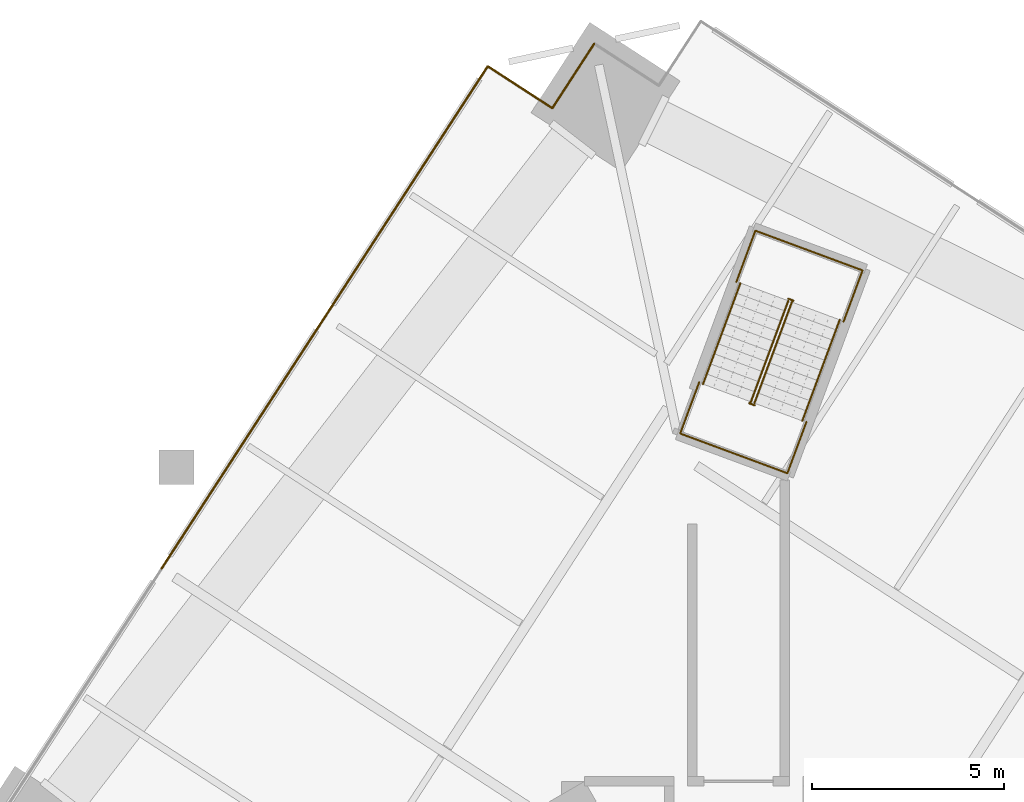
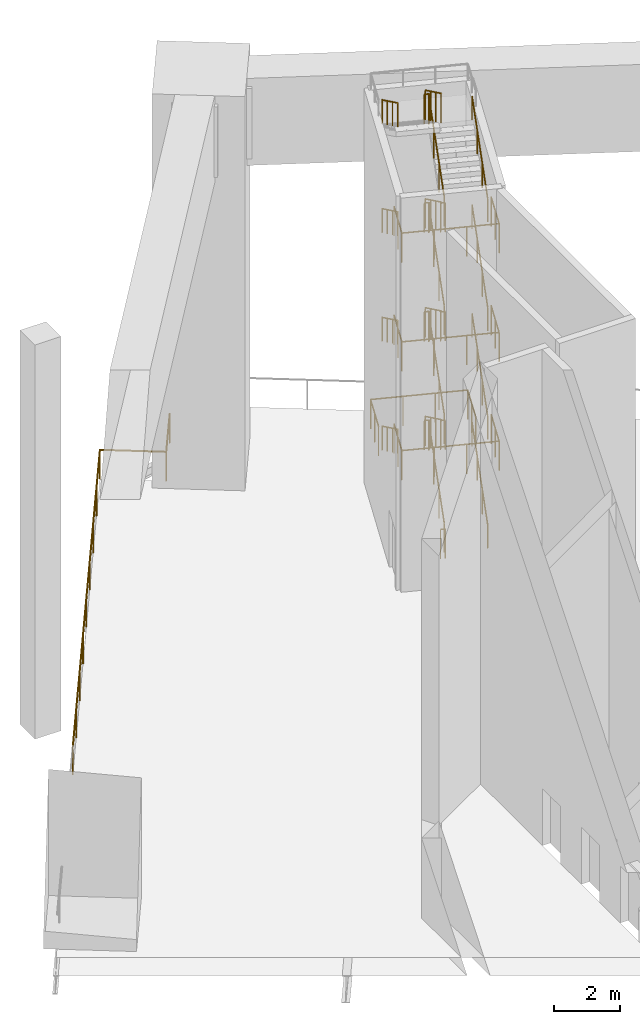
# One storey, part 14 of 16: 24 railings.
"""IFC4 building model written with IfcOpenShell, lengths in metres."""

import ifcopenshell
import ifcopenshell.guid

model = None  # the IFC model being written
_history = None  # IfcOwnerHistory: only IFC2X3 demands one
_inside = {}  # id of a spatial element -> (the spatial element, [elements in it])
_under = {}  # id of a project, library or spatial element -> (it, [spatial elements below it])
_declared = {}  # id of a project -> (the project, [libraries it declares])
_typed = {}  # id of a type object -> (the type object, [elements of that type])
_made_of = {}  # id of a material, layer set ... -> (it, [elements and type objects made of it])


def new_model(schema):
    """Start an empty IFC model of exactly this schema.

    Asked for "IFC4X3", IfcOpenShell would pick the latest addendum, in which some entities
    have other attributes; the version numbers below select the first issue.
    IFC2X3 requires an IfcOwnerHistory on every rooted entity: one is made here for all.
    """
    global model, _history
    if schema == "IFC4X3":
        model = ifcopenshell.file(schema_version=(4, 3, 0, 0))
    else:
        model = ifcopenshell.file(schema=schema)
    _inside.clear()
    _under.clear()
    _declared.clear()
    _typed.clear()
    _made_of.clear()
    _history = None
    if model.schema == "IFC2X3":
        org = make("IfcOrganization", Name="unknown")
        user = make(
            "IfcPersonAndOrganization",
            ThePerson=make("IfcPerson", FamilyName="unknown"),
            TheOrganization=org,
        )
        app = make(
            "IfcApplication",
            ApplicationDeveloper=org,
            Version="unknown",
            ApplicationFullName="unknown",
            ApplicationIdentifier="unknown",
        )
        _history = make(
            "IfcOwnerHistory",
            OwningUser=user,
            OwningApplication=app,
            ChangeAction="ADDED",
            CreationDate=0,
        )
    return model


def make(cls, **values):
    """One entity of the class cls with the attributes given. An attribute that is None is left unset."""
    return model.create_entity(
        cls, **{name: value for name, value in values.items() if value is not None}
    )


def rooted(cls, **values):
    """An entity with a GlobalId (a new one), such as an element, a storey or a relation."""
    return make(cls, GlobalId=ifcopenshell.guid.new(), OwnerHistory=_history, **values)


def si_unit(unit_type, name, prefix=None):
    """IfcSIUnit, for example si_unit("LENGTHUNIT", "METRE", prefix="MILLI")."""
    return make("IfcSIUnit", UnitType=unit_type, Prefix=prefix, Name=name)


def assignment(units):
    """IfcUnitAssignment: the units of a project."""
    return None if units is None else make("IfcUnitAssignment", Units=units)


def point(xyz):
    """IfcCartesianPoint."""
    return None if xyz is None else make("IfcCartesianPoint", Coordinates=xyz)


def direction(xyz):
    """IfcDirection."""
    return None if xyz is None else make("IfcDirection", DirectionRatios=xyz)


def frame(location, z_axis=None, x_axis=None):
    """IfcAxis2Placement3D, a coordinate frame: its origin and axes. An axis left out is left unset."""
    return make(
        "IfcAxis2Placement3D",
        Location=point(location),
        Axis=direction(z_axis),
        RefDirection=direction(x_axis),
    )


def frame_2d(location, x_axis=None):
    """IfcAxis2Placement2D, a coordinate frame in the plane: its origin and x axis."""
    return make(
        "IfcAxis2Placement2D", Location=point(location), RefDirection=direction(x_axis)
    )


def origin():
    """The frame at (0, 0, 0) with its axes left unset."""
    return frame((0.0, 0.0, 0.0))


def origin_2d():
    """The frame at (0, 0) in the plane with its x axis left unset."""
    return frame_2d((0.0, 0.0))


def place(relative_to, where):
    """IfcLocalPlacement: puts the frame where relative to a parent placement (None: the world)."""
    return make(
        "IfcLocalPlacement", PlacementRelTo=relative_to, RelativePlacement=where
    )


def context(
    kind, dimensions, precision=None, world=None, true_north=None, identifier=None
):
    """IfcGeometricRepresentationContext, for example the 3D "Model" context."""
    return make(
        "IfcGeometricRepresentationContext",
        ContextIdentifier=identifier,
        ContextType=kind,
        CoordinateSpaceDimension=dimensions,
        Precision=precision,
        WorldCoordinateSystem=world,
        TrueNorth=true_north,
    )


def subcontext(parent, identifier, kind, view, scale=None):
    """IfcGeometricRepresentationSubContext, for example "Body" below "Model"."""
    return make(
        "IfcGeometricRepresentationSubContext",
        ContextIdentifier=identifier,
        ContextType=kind,
        ParentContext=parent,
        TargetScale=scale,
        TargetView=view,
    )


def project(units=None, contexts=None):
    """IfcProject with its units and contexts."""
    return rooted(
        "IfcProject",
        Name="project",
        RepresentationContexts=contexts,
        UnitsInContext=assignment(units),
    )


def spatial(cls, under=None, at=None, **own):
    """A site, building, storey or space (cls), placed at a placement, below another one or the project."""
    s = rooted(cls, ObjectPlacement=at, **own)
    if under is not None:
        _under.setdefault(under.id(), (under, []))[1].append(s)
    return s


def profile(cls, at=None, kind="AREA", **sizes):
    """A parametric profile (cls). Its sizes go by their IFC names, for example OverallWidth=200.0."""
    return make(cls, ProfileType=kind, Position=at, **sizes)


def circle(**sizes):
    """IfcCircleProfileDef."""
    return profile("IfcCircleProfileDef", **sizes)


def extrude(swept, where, along, depth):
    """IfcExtrudedAreaSolid: the profile swept, set in the frame where, extruded along a direction by depth."""
    return make(
        "IfcExtrudedAreaSolid",
        SweptArea=swept,
        Position=where,
        ExtrudedDirection=direction(along),
        Depth=depth,
    )


def shape(context_of_items, identifier, shape_type, items):
    """IfcShapeRepresentation: the items that make up one representation, for example the "Body"."""
    return make(
        "IfcShapeRepresentation",
        ContextOfItems=context_of_items,
        RepresentationIdentifier=identifier,
        RepresentationType=shape_type,
        Items=items,
    )


def material(Name=None, Category=None):
    """IfcMaterial."""
    return make("IfcMaterial", Name=Name, Category=Category)


def made_of(thing, what):
    """Note that an element or type object is made of a material, layer set ...; save() writes the relation."""
    if what is not None:
        _made_of.setdefault(what.id(), (what, []))[1].append(thing)
    return thing


def type_object(cls, material=None, **own):
    """A type object (cls), such as IfcWallType, which elements share."""
    return made_of(rooted(cls, **own), material)


def element(
    cls,
    number,
    at=None,
    inside=None,
    cuts=None,
    type_object=None,
    material=None,
    context=None,
    identifier="Body",
    shape_type=None,
    held_by="IfcProductDefinitionShape",
    body=None,
    shapes=None,
    **own,
):
    """One element of the class cls, such as IfcWall. Its Tag is "e" and its number.

    at: its placement. inside: the storey or other place that contains it. cuts: it is an
    opening in that element (IfcRelVoidsElement). A single representation is given by context,
    identifier, shape_type and body (its items); several are given by shapes. held_by: the class
    of the entity that holds the representations. save() writes the other relations.
    """
    e = rooted(cls, Tag="e%d" % number, ObjectPlacement=at, **own)
    if body is not None:
        shapes = [shape(context, identifier, shape_type, body)]
    if shapes is not None:
        e.Representation = make(held_by, Representations=shapes)
    if inside is not None:
        _inside.setdefault(inside.id(), (inside, []))[1].append(e)
    if cuts is not None:
        rooted(
            "IfcRelVoidsElement", RelatingBuildingElement=cuts, RelatedOpeningElement=e
        )
    if type_object is not None:
        _typed.setdefault(type_object.id(), (type_object, []))[1].append(e)
    return made_of(e, material)


def aggregate(whole, parts):
    """IfcRelAggregates: a whole, such as a stair, and the parts it consists of."""
    return rooted("IfcRelAggregates", RelatingObject=whole, RelatedObjects=parts)


def save(model, path):
    """Write the relations noted so far, then the file.

    IfcRelAggregates (storeys below a building ...), IfcRelContainedInSpatialStructure (elements
    in a storey), IfcRelDefinesByType, IfcRelAssociatesMaterial and IfcRelDeclares: one each for
    every whole, place, type object, material and project.
    """
    for whole, parts in _under.values():
        aggregate(whole, parts)
    for where, things in _inside.values():
        rooted(
            "IfcRelContainedInSpatialStructure",
            RelatedElements=things,
            RelatingStructure=where,
        )
    for kind, things in _typed.values():
        rooted("IfcRelDefinesByType", RelatedObjects=things, RelatingType=kind)
    for what, things in _made_of.values():
        rooted("IfcRelAssociatesMaterial", RelatedObjects=things, RelatingMaterial=what)
    for by, libraries in _declared.values():
        rooted("IfcRelDeclares", RelatingContext=by, RelatedDefinitions=libraries)
    model.write(path)


model = new_model("IFC4")

# Units and contexts
model_context = context("Model", 3, precision=1e-05, world=origin(), true_north=direction((0.0, 1.0)))
body_context = subcontext(model_context, "Body", "Model", "MODEL_VIEW")
ifc_project = project(units=[si_unit("LENGTHUNIT", "METRE"), si_unit("AREAUNIT", "SQUARE_METRE"), si_unit("VOLUMEUNIT", "CUBIC_METRE"), si_unit("PLANEANGLEUNIT", "RADIAN"), si_unit("MASSUNIT", "GRAM", prefix="KILO")], contexts=[model_context])

# Site, building, storey
site_placement = place(None, origin())
site = spatial("IfcSite", under=ifc_project, at=site_placement, CompositionType="ELEMENT")
building_placement = place(site_placement, origin())
building = spatial("IfcBuilding", under=site, at=building_placement, Name="Cantera Rosa Tower", CompositionType="ELEMENT")
storey_placement = place(building_placement, frame((0.0, 0.0, 290.10009765625)))
storey = spatial("IfcBuildingStorey", under=building, at=storey_placement, Name="L66", CompositionType="ELEMENT", Elevation=290.10009765625)

# Railings
ifc_material_1 = material(Name="Stainless steel and laminated glass", Category="steel")
railing_type_1 = type_object("IfcRailingType", Name="GUARD 1100", PredefinedType="BALUSTRADE", material=ifc_material_1)
railing_1_placement = place(storey_placement, frame((-3.7490234375, 28.0107421875, 0.0)))
element("IfcRailing", 1, at=railing_1_placement, inside=storey, type_object=railing_type_1, Name="PORTAL GUARD L66-4", PredefinedType="BALUSTRADE", context=body_context, shape_type="SweptSolid", body=[
    extrude(circle(Radius=0.030029296875, at=origin_2d()), frame((0.0, 0.0, 1.070068359375), z_axis=(-0.54468796124, -0.838638792855, 0.0), x_axis=(0.838638792855, -0.54468796124, 0.0)), (0.0, 0.0, 1.0), 2.0),
    extrude(circle(Radius=0.02490234375, at=origin_2d()), origin(), (0.0, 0.0, 1.0), 1.0400390625),
    extrude(circle(Radius=0.02490234375, at=origin_2d()), frame((-1.08935546875, -1.67724609375, 0.0)), (0.0, 0.0, 1.0), 1.0400390625),
])
railing_2_placement = place(storey_placement, frame((-4.83837890625, 26.33349609375, 0.0)))
element("IfcRailing", 2, at=railing_2_placement, inside=storey, type_object=railing_type_1, Name="PORTAL GUARD L66-5", PredefinedType="BALUSTRADE", context=body_context, shape_type="SweptSolid", body=[
    extrude(circle(Radius=0.030029296875, at=origin_2d()), frame((0.0, 0.0, 1.070068359375), z_axis=(-0.838638792855, 0.54468796124, 0.0), x_axis=(-0.54468796124, -0.838638792855, 0.0)), (0.0, 0.0, 1.0), 2.0),
    extrude(circle(Radius=0.02490234375, at=origin_2d()), origin(), (0.0, 0.0, 1.0), 1.0400390625),
    extrude(circle(Radius=0.02490234375, at=origin_2d()), frame((-1.67724609375, 1.08935546875, 0.0)), (0.0, 0.0, 1.0), 1.0400390625),
])
railing_3_placement = place(storey_placement, frame((-6.515625, 27.4228515625, 0.0)))
element("IfcRailing", 3, at=railing_3_placement, inside=storey, type_object=railing_type_1, Name="PORTAL GUARD L66-6", PredefinedType="BALUSTRADE", context=body_context, shape_type="SweptSolid", body=[
    extrude(circle(Radius=0.030029296875, at=origin_2d()), frame((0.0, 0.0, 1.070068359375), z_axis=(-0.544637548782, -0.838671533115, 0.0), x_axis=(0.838671533115, -0.544637548782, 0.0)), (0.0, 0.0, 1.0), 15.56005859375),
    extrude(circle(Radius=0.02490234375, at=origin_2d()), origin(), (0.0, 0.0, 1.0), 1.0400390625),
    extrude(circle(Radius=0.02490234375, at=origin_2d()), frame((-1.059326171875, -1.63134765625, 0.0)), (0.0, 0.0, 1.0), 1.0400390625),
    extrude(circle(Radius=0.02490234375, at=origin_2d()), frame((-2.11865234375, -3.262451171875, 0.0)), (0.0, 0.0, 1.0), 1.0400390625),
    extrude(circle(Radius=0.02490234375, at=origin_2d()), frame((-3.177978515625, -4.8935546875, 0.0)), (0.0, 0.0, 1.0), 1.0400390625),
    extrude(circle(Radius=0.02490234375, at=origin_2d()), frame((-4.2373046875, -6.52490234375, 0.0)), (0.0, 0.0, 1.0), 1.0400390625),
    extrude(circle(Radius=0.02490234375, at=origin_2d()), frame((-5.296630859375, -8.15625, 0.0)), (0.0, 0.0, 1.0), 1.0400390625),
    extrude(circle(Radius=0.02490234375, at=origin_2d()), frame((-6.35595703125, -9.787353515625, 0.0)), (0.0, 0.0, 1.0), 1.0400390625),
    extrude(circle(Radius=0.02490234375, at=origin_2d()), frame((-7.415283203125, -11.41845703125, 0.0)), (0.0, 0.0, 1.0), 1.0400390625),
    extrude(circle(Radius=0.02490234375, at=origin_2d()), frame((-8.474609375, -13.0498046875, 0.0)), (0.0, 0.0, 1.0), 1.0400390625),
])
ifc_material_2 = material(Name="Steel S355J2 (EN 10025-2)", Category="steel")
railing_type_2 = type_object("IfcRailingType", Name="STAIR GUARD 1100", PredefinedType="GUARDRAIL", material=ifc_material_2)
railing_4_placement = place(storey_placement, frame((0.412109375, 18.670166015625, 0.181640625)))
element("IfcRailing", 4, at=railing_4_placement, inside=storey, type_object=railing_type_2, Name="L66 ST-62 stair guard 1", PredefinedType="GUARDRAIL", context=body_context, shape_type="SweptSolid", body=[
    extrude(circle(Radius=0.02392578125, at=origin_2d()), frame((0.0, 0.0, 1.076171875), z_axis=(0.291477849966, 0.786390566617, 0.5446379896), x_axis=(-0.937662486433, 0.347547207636, 0.0)), (0.0, 0.0, 1.0), 3.338623046875),
    extrude(circle(Radius=0.02392578125, at=origin_2d()), frame((0.97314453125, 2.62548828125, 2.89453125), z_axis=(0.740919573429, 0.671593765389, 0.0), x_axis=(-0.671593765389, 0.740919573429, 0.0)), (0.0, 0.0, 1.0), 0.056396484375),
    extrude(circle(Radius=0.02392578125, at=origin_2d()), frame((1.014892578125, 2.663330078125, 2.89453125), z_axis=(-0.937394914814, 0.348268249601, 0.0), x_axis=(-0.348268249601, -0.937394914814, 0.0)), (0.0, 0.0, 1.0), 0.14990234375),
    extrude(circle(Radius=0.02099609375, at=origin_2d()), origin(), (0.0, 0.0, 1.0), 1.052001953125),
    extrude(circle(Radius=0.02099609375, at=origin_2d()), frame((0.324462890625, 0.875244140625, 0.606201171875)), (0.0, 0.0, 1.0), 1.052001953125),
    extrude(circle(Radius=0.02099609375, at=origin_2d()), frame((0.648681640625, 1.750244140625, 1.212158203125)), (0.0, 0.0, 1.0), 1.052001953125),
    extrude(circle(Radius=0.02099609375, at=origin_2d()), frame((0.97314453125, 2.62548828125, 1.818359375)), (0.0, 0.0, 1.0), 1.052001953125),
    extrude(circle(Radius=0.02099609375, at=origin_2d()), frame((1.014892578125, 2.663330078125, 1.818359375)), (0.0, 0.0, 1.0), 1.052001953125),
    extrude(circle(Radius=0.02099609375, at=origin_2d()), frame((0.874267578125, 2.715576171875, 1.818359375)), (0.0, 0.0, 1.0), 1.052001953125),
])
railing_5_placement = place(storey_placement, frame((1.293212890625, 21.329833984375, 2.181640625)))
element("IfcRailing", 5, at=railing_5_placement, inside=storey, type_object=railing_type_2, Name="L66 ST-62 stair guard 2", PredefinedType="GUARDRAIL", context=body_context, shape_type="SweptSolid", body=[
    extrude(circle(Radius=0.02392578125, at=origin_2d()), frame((0.0, 0.0, 1.076171875), z_axis=(-0.291394177441, -0.786435226693, 0.544618276933), x_axis=(0.937701424672, -0.347442136431, 0.0)), (0.0, 0.0, 1.0), 3.3388671875),
    extrude(circle(Radius=0.02392578125, at=origin_2d()), frame((-0.972900390625, -2.625732421875, 2.89453125), z_axis=(-0.740919573429, -0.671593765389, 0.0), x_axis=(0.671593765389, -0.740919573429, 0.0)), (0.0, 0.0, 1.0), 0.056396484375),
    extrude(circle(Radius=0.02392578125, at=origin_2d()), frame((-1.0146484375, -2.66357421875, 2.89453125), z_axis=(0.937925419525, -0.346837004095, 0.0), x_axis=(0.346837004095, 0.937925419525, 0.0)), (0.0, 0.0, 1.0), 0.14990234375),
    extrude(circle(Radius=0.02099609375, at=origin_2d()), origin(), (0.0, 0.0, 1.0), 1.052001953125),
    extrude(circle(Radius=0.02099609375, at=origin_2d()), frame((-0.32421875, -0.875244140625, 0.606201171875)), (0.0, 0.0, 1.0), 1.052001953125),
    extrude(circle(Radius=0.02099609375, at=origin_2d()), frame((-0.648681640625, -1.75048828125, 1.212158203125)), (0.0, 0.0, 1.0), 1.052001953125),
    extrude(circle(Radius=0.02099609375, at=origin_2d()), frame((-0.972900390625, -2.625732421875, 1.818359375)), (0.0, 0.0, 1.0), 1.052001953125),
    extrude(circle(Radius=0.02099609375, at=origin_2d()), frame((-1.0146484375, -2.66357421875, 1.818359375)), (0.0, 0.0, 1.0), 1.052001953125),
    extrude(circle(Radius=0.02099609375, at=origin_2d()), frame((-0.8740234375, -2.715576171875, 1.818359375)), (0.0, 0.0, 1.0), 1.052001953125),
])
railing_6_placement = place(storey_placement, frame((0.412109375, 18.670166015625, 4.181640625)))
element("IfcRailing", 6, at=railing_6_placement, inside=storey, type_object=railing_type_2, Name="L66 ST-62 stair guard 3", PredefinedType="GUARDRAIL", context=body_context, shape_type="SweptSolid", body=[
    extrude(circle(Radius=0.02392578125, at=origin_2d()), frame((0.0, 0.0, 1.076171875), z_axis=(0.291477849966, 0.786390566617, 0.5446379896), x_axis=(-0.937662486433, 0.347547207636, 0.0)), (0.0, 0.0, 1.0), 3.338623046875),
    extrude(circle(Radius=0.02392578125, at=origin_2d()), frame((0.97314453125, 2.62548828125, 2.89453125), z_axis=(0.740919573429, 0.671593765389, 0.0), x_axis=(-0.671593765389, 0.740919573429, 0.0)), (0.0, 0.0, 1.0), 0.056396484375),
    extrude(circle(Radius=0.02392578125, at=origin_2d()), frame((1.014892578125, 2.663330078125, 2.89453125), z_axis=(-0.937394914814, 0.348268249601, 0.0), x_axis=(-0.348268249601, -0.937394914814, 0.0)), (0.0, 0.0, 1.0), 0.14990234375),
    extrude(circle(Radius=0.02099609375, at=origin_2d()), origin(), (0.0, 0.0, 1.0), 1.052001953125),
    extrude(circle(Radius=0.02099609375, at=origin_2d()), frame((0.324462890625, 0.875244140625, 0.606201171875)), (0.0, 0.0, 1.0), 1.052001953125),
    extrude(circle(Radius=0.02099609375, at=origin_2d()), frame((0.648681640625, 1.750244140625, 1.212158203125)), (0.0, 0.0, 1.0), 1.052001953125),
    extrude(circle(Radius=0.02099609375, at=origin_2d()), frame((0.97314453125, 2.62548828125, 1.818359375)), (0.0, 0.0, 1.0), 1.052001953125),
    extrude(circle(Radius=0.02099609375, at=origin_2d()), frame((1.014892578125, 2.663330078125, 1.818359375)), (0.0, 0.0, 1.0), 1.052001953125),
    extrude(circle(Radius=0.02099609375, at=origin_2d()), frame((0.874267578125, 2.715576171875, 1.818359375)), (0.0, 0.0, 1.0), 1.052001953125),
])
railing_7_placement = place(storey_placement, frame((1.293212890625, 21.329833984375, 6.181640625)))
element("IfcRailing", 7, at=railing_7_placement, inside=storey, type_object=railing_type_2, Name="L66 ST-62 stair guard 4", PredefinedType="GUARDRAIL", context=body_context, shape_type="SweptSolid", body=[
    extrude(circle(Radius=0.02392578125, at=origin_2d()), frame((0.0, 0.0, 1.076171875), z_axis=(-0.291394177441, -0.786435226693, 0.544618276933), x_axis=(0.937701424672, -0.347442136431, 0.0)), (0.0, 0.0, 1.0), 3.3388671875),
    extrude(circle(Radius=0.02392578125, at=origin_2d()), frame((-0.972900390625, -2.625732421875, 2.89453125), z_axis=(-0.740919573429, -0.671593765389, 0.0), x_axis=(0.671593765389, -0.740919573429, 0.0)), (0.0, 0.0, 1.0), 0.056396484375),
    extrude(circle(Radius=0.02392578125, at=origin_2d()), frame((-1.0146484375, -2.66357421875, 2.89453125), z_axis=(0.937925419525, -0.346837004095, 0.0), x_axis=(0.346837004095, 0.937925419525, 0.0)), (0.0, 0.0, 1.0), 0.14990234375),
    extrude(circle(Radius=0.02099609375, at=origin_2d()), origin(), (0.0, 0.0, 1.0), 1.052001953125),
    extrude(circle(Radius=0.02099609375, at=origin_2d()), frame((-0.32421875, -0.875244140625, 0.606201171875)), (0.0, 0.0, 1.0), 1.052001953125),
    extrude(circle(Radius=0.02099609375, at=origin_2d()), frame((-0.648681640625, -1.75048828125, 1.212158203125)), (0.0, 0.0, 1.0), 1.052001953125),
    extrude(circle(Radius=0.02099609375, at=origin_2d()), frame((-0.972900390625, -2.625732421875, 1.818359375)), (0.0, 0.0, 1.0), 1.052001953125),
    extrude(circle(Radius=0.02099609375, at=origin_2d()), frame((-1.0146484375, -2.66357421875, 1.818359375)), (0.0, 0.0, 1.0), 1.052001953125),
    extrude(circle(Radius=0.02099609375, at=origin_2d()), frame((-0.8740234375, -2.715576171875, 1.818359375)), (0.0, 0.0, 1.0), 1.052001953125),
])
railing_8_placement = place(storey_placement, frame((0.412109375, 18.670166015625, 8.181640625)))
element("IfcRailing", 8, at=railing_8_placement, inside=storey, type_object=railing_type_2, Name="L66 ST-62 stair guard 5", PredefinedType="GUARDRAIL", context=body_context, shape_type="SweptSolid", body=[
    extrude(circle(Radius=0.02392578125, at=origin_2d()), frame((0.0, 0.0, 1.076171875), z_axis=(0.291477849966, 0.786390566617, 0.5446379896), x_axis=(-0.937662486433, 0.347547207636, 0.0)), (0.0, 0.0, 1.0), 3.338623046875),
    extrude(circle(Radius=0.02392578125, at=origin_2d()), frame((0.97314453125, 2.62548828125, 2.89453125), z_axis=(0.740919573429, 0.671593765389, 0.0), x_axis=(-0.671593765389, 0.740919573429, 0.0)), (0.0, 0.0, 1.0), 0.056396484375),
    extrude(circle(Radius=0.02392578125, at=origin_2d()), frame((1.014892578125, 2.663330078125, 2.89453125), z_axis=(-0.937394914814, 0.348268249601, 0.0), x_axis=(-0.348268249601, -0.937394914814, 0.0)), (0.0, 0.0, 1.0), 0.14990234375),
    extrude(circle(Radius=0.02099609375, at=origin_2d()), origin(), (0.0, 0.0, 1.0), 1.052001953125),
    extrude(circle(Radius=0.02099609375, at=origin_2d()), frame((0.324462890625, 0.875244140625, 0.606201171875)), (0.0, 0.0, 1.0), 1.052001953125),
    extrude(circle(Radius=0.02099609375, at=origin_2d()), frame((0.648681640625, 1.750244140625, 1.212158203125)), (0.0, 0.0, 1.0), 1.052001953125),
    extrude(circle(Radius=0.02099609375, at=origin_2d()), frame((0.97314453125, 2.62548828125, 1.818359375)), (0.0, 0.0, 1.0), 1.052001953125),
    extrude(circle(Radius=0.02099609375, at=origin_2d()), frame((1.014892578125, 2.663330078125, 1.818359375)), (0.0, 0.0, 1.0), 1.052001953125),
    extrude(circle(Radius=0.02099609375, at=origin_2d()), frame((0.874267578125, 2.715576171875, 1.818359375)), (0.0, 0.0, 1.0), 1.052001953125),
])
railing_9_placement = place(storey_placement, frame((1.293212890625, 21.329833984375, 10.181640625)))
element("IfcRailing", 9, at=railing_9_placement, inside=storey, type_object=railing_type_2, Name="L66 ST-62 stair guard 6", PredefinedType="GUARDRAIL", context=body_context, shape_type="SweptSolid", body=[
    extrude(circle(Radius=0.02392578125, at=origin_2d()), frame((0.0, 0.0, 1.076171875), z_axis=(-0.291394177441, -0.786435226693, 0.544618276933), x_axis=(0.937701424672, -0.347442136431, 0.0)), (0.0, 0.0, 1.0), 3.3388671875),
    extrude(circle(Radius=0.02392578125, at=origin_2d()), frame((-0.972900390625, -2.625732421875, 2.89453125), z_axis=(-0.740919573429, -0.671593765389, 0.0), x_axis=(0.671593765389, -0.740919573429, 0.0)), (0.0, 0.0, 1.0), 0.056396484375),
    extrude(circle(Radius=0.02392578125, at=origin_2d()), frame((-1.0146484375, -2.66357421875, 2.89453125), z_axis=(0.937925419525, -0.346837004095, 0.0), x_axis=(0.346837004095, 0.937925419525, 0.0)), (0.0, 0.0, 1.0), 0.14990234375),
    extrude(circle(Radius=0.02099609375, at=origin_2d()), origin(), (0.0, 0.0, 1.0), 1.052001953125),
    extrude(circle(Radius=0.02099609375, at=origin_2d()), frame((-0.32421875, -0.875244140625, 0.606201171875)), (0.0, 0.0, 1.0), 1.052001953125),
    extrude(circle(Radius=0.02099609375, at=origin_2d()), frame((-0.648681640625, -1.75048828125, 1.212158203125)), (0.0, 0.0, 1.0), 1.052001953125),
    extrude(circle(Radius=0.02099609375, at=origin_2d()), frame((-0.972900390625, -2.625732421875, 1.818359375)), (0.0, 0.0, 1.0), 1.052001953125),
    extrude(circle(Radius=0.02099609375, at=origin_2d()), frame((-1.0146484375, -2.66357421875, 1.818359375)), (0.0, 0.0, 1.0), 1.052001953125),
    extrude(circle(Radius=0.02099609375, at=origin_2d()), frame((-0.8740234375, -2.715576171875, 1.818359375)), (0.0, 0.0, 1.0), 1.052001953125),
])
railing_10_placement = place(storey_placement, frame((0.412109375, 18.670166015625, 12.181640625)))
element("IfcRailing", 10, at=railing_10_placement, inside=storey, type_object=railing_type_2, Name="L66 ST-62 stair guard 7", PredefinedType="GUARDRAIL", context=body_context, shape_type="SweptSolid", body=[
    extrude(circle(Radius=0.02392578125, at=origin_2d()), frame((0.0, 0.0, 1.076171875), z_axis=(0.291477849966, 0.786390566617, 0.5446379896), x_axis=(-0.937662486433, 0.347547207636, 0.0)), (0.0, 0.0, 1.0), 3.338623046875),
    extrude(circle(Radius=0.02392578125, at=origin_2d()), frame((0.97314453125, 2.62548828125, 2.89453125), z_axis=(0.740919573429, 0.671593765389, 0.0), x_axis=(-0.671593765389, 0.740919573429, 0.0)), (0.0, 0.0, 1.0), 0.056396484375),
    extrude(circle(Radius=0.02392578125, at=origin_2d()), frame((1.014892578125, 2.663330078125, 2.89453125), z_axis=(-0.937394914814, 0.348268249601, 0.0), x_axis=(-0.348268249601, -0.937394914814, 0.0)), (0.0, 0.0, 1.0), 0.14990234375),
    extrude(circle(Radius=0.02099609375, at=origin_2d()), origin(), (0.0, 0.0, 1.0), 1.052001953125),
    extrude(circle(Radius=0.02099609375, at=origin_2d()), frame((0.324462890625, 0.875244140625, 0.606201171875)), (0.0, 0.0, 1.0), 1.052001953125),
    extrude(circle(Radius=0.02099609375, at=origin_2d()), frame((0.648681640625, 1.750244140625, 1.212158203125)), (0.0, 0.0, 1.0), 1.052001953125),
    extrude(circle(Radius=0.02099609375, at=origin_2d()), frame((0.97314453125, 2.62548828125, 1.818359375)), (0.0, 0.0, 1.0), 1.052001953125),
    extrude(circle(Radius=0.02099609375, at=origin_2d()), frame((1.014892578125, 2.663330078125, 1.818359375)), (0.0, 0.0, 1.0), 1.052001953125),
    extrude(circle(Radius=0.02099609375, at=origin_2d()), frame((0.874267578125, 2.715576171875, 1.818359375)), (0.0, 0.0, 1.0), 1.052001953125),
])
railing_11_placement = place(storey_placement, frame((1.293212890625, 21.329833984375, 14.181640625)))
element("IfcRailing", 11, at=railing_11_placement, inside=storey, type_object=railing_type_2, Name="L66 ST-62 stair guard 8", PredefinedType="GUARDRAIL", context=body_context, shape_type="SweptSolid", body=[
    extrude(circle(Radius=0.02392578125, at=origin_2d()), frame((0.0, 0.0, 1.076171875), z_axis=(-0.291394177441, -0.786435226693, 0.544618276933), x_axis=(0.937701424672, -0.347442136431, 0.0)), (0.0, 0.0, 1.0), 3.3388671875),
    extrude(circle(Radius=0.02099609375, at=origin_2d()), origin(), (0.0, 0.0, 1.0), 1.052001953125),
    extrude(circle(Radius=0.02099609375, at=origin_2d()), frame((-0.32421875, -0.875244140625, 0.606201171875)), (0.0, 0.0, 1.0), 1.052001953125),
    extrude(circle(Radius=0.02099609375, at=origin_2d()), frame((-0.648681640625, -1.75048828125, 1.212158203125)), (0.0, 0.0, 1.0), 1.052001953125),
    extrude(circle(Radius=0.02099609375, at=origin_2d()), frame((-0.972900390625, -2.625732421875, 1.818359375)), (0.0, 0.0, 1.0), 1.052001953125),
])
railing_12_placement = place(storey_placement, frame((0.419189453125, 18.6142578125, 0.0)))
element("IfcRailing", 12, at=railing_12_placement, inside=storey, type_object=railing_type_2, Name="L66 ST-62 stair guard 9", PredefinedType="GUARDRAIL", context=body_context, shape_type="SweptSolid", body=[
    extrude(circle(Radius=0.02392578125, at=origin_2d()), frame((0.0, 0.0, 1.076171875), z_axis=(-0.937925419525, 0.346837004095, 0.0), x_axis=(-0.346837004095, -0.937925419525, 0.0)), (0.0, 0.0, 1.0), 0.14990234375),
    extrude(circle(Radius=0.02099609375, at=origin_2d()), origin(), (0.0, 0.0, 1.0), 1.052001953125),
    extrude(circle(Radius=0.02099609375, at=origin_2d()), frame((-0.140625, 0.052001953125, 0.0)), (0.0, 0.0, 1.0), 1.052001953125),
])
railing_13_placement = place(storey_placement, frame((2.7275390625, 20.785400390625, 2.0)))
element("IfcRailing", 13, at=railing_13_placement, inside=storey, type_object=railing_type_2, Name="L66 ST-62 stair guard 10", PredefinedType="GUARDRAIL", context=body_context, shape_type="SweptSolid", body=[
    extrude(circle(Radius=0.02392578125, at=origin_2d()), frame((0.0, 0.0, 1.076171875), z_axis=(0.347470908963, 0.937690763218, 0.0), x_axis=(-0.937690763218, 0.347470908963, 0.0)), (0.0, 0.0, 1.0), 1.422119140625),
    extrude(circle(Radius=0.02392578125, at=origin_2d()), frame((0.494140625, 1.33349609375, 1.076171875), z_axis=(-0.937690243436, 0.347472311651, 0.0), x_axis=(-0.347472311651, -0.937690243436, 0.0)), (0.0, 0.0, 1.0), 2.969970703125),
    extrude(circle(Radius=0.02392578125, at=origin_2d()), frame((-2.290771484375, 2.365478515625, 1.076171875), z_axis=(-0.347470908963, -0.937690763218, 0.0), x_axis=(0.937690763218, -0.347470908963, 0.0)), (0.0, 0.0, 1.0), 1.422119140625),
    extrude(circle(Radius=0.02099609375, at=origin_2d()), origin(), (0.0, 0.0, 1.0), 1.052001953125),
    extrude(circle(Radius=0.02099609375, at=origin_2d()), frame((0.2470703125, 0.666748046875, 0.0)), (0.0, 0.0, 1.0), 1.052001953125),
    extrude(circle(Radius=0.02099609375, at=origin_2d()), frame((0.494140625, 1.33349609375, 0.0)), (0.0, 0.0, 1.0), 1.052001953125),
    extrude(circle(Radius=0.02099609375, at=origin_2d()), frame((-0.43408203125, 1.677490234375, 0.0)), (0.0, 0.0, 1.0), 1.052001953125),
    extrude(circle(Radius=0.02099609375, at=origin_2d()), frame((-1.362548828125, 2.021484375, 0.0)), (0.0, 0.0, 1.0), 1.052001953125),
    extrude(circle(Radius=0.02099609375, at=origin_2d()), frame((-2.290771484375, 2.365478515625, 0.0)), (0.0, 0.0, 1.0), 1.052001953125),
    extrude(circle(Radius=0.02099609375, at=origin_2d()), frame((-2.537841796875, 1.69873046875, 0.0)), (0.0, 0.0, 1.0), 1.052001953125),
    extrude(circle(Radius=0.02099609375, at=origin_2d()), frame((-2.784912109375, 1.031982421875, 0.0)), (0.0, 0.0, 1.0), 1.052001953125),
])
for number, where, name in (
    (14, (1.762939453125, 18.182373046875, 4.0), "L66 ST-62 stair guard 11"),
    (15, (1.762939453125, 18.182373046875, 8.0), "L66 ST-62 stair guard 13"),
    (16, (1.762939453125, 18.182373046875, 12.0), "L66 ST-62 stair guard 15"),
):
    element("IfcRailing", number, at=place(storey_placement, frame(where)), inside=storey, type_object=railing_type_2, Name=name, PredefinedType="GUARDRAIL", context=body_context, shape_type="SweptSolid", body=[
        extrude(circle(Radius=0.02392578125, at=origin_2d()), frame((0.0, 0.0, 1.076171875), z_axis=(-0.347526852657, -0.937670030811, 0.0), x_axis=(0.937670030811, -0.347526852657, 0.0)), (0.0, 0.0, 1.0), 1.421875),
        extrude(circle(Radius=0.02392578125, at=origin_2d()), frame((-0.494140625, -1.333251953125, 1.076171875), z_axis=(-0.937690243436, 0.347472311651, 0.0), x_axis=(-0.347472311651, -0.937690243436, 0.0)), (0.0, 0.0, 1.0), 2.969970703125),
        extrude(circle(Radius=0.02392578125, at=origin_2d()), frame((-3.279052734375, -0.30126953125, 1.076171875), z_axis=(0.347526852657, 0.937670030811, 0.0), x_axis=(-0.937670030811, 0.347526852657, 0.0)), (0.0, 0.0, 1.0), 1.421875),
        extrude(circle(Radius=0.02099609375, at=origin_2d()), origin(), (0.0, 0.0, 1.0), 1.052001953125),
        extrude(circle(Radius=0.02099609375, at=origin_2d()), frame((-0.2470703125, -0.66650390625, 0.0)), (0.0, 0.0, 1.0), 1.052001953125),
        extrude(circle(Radius=0.02099609375, at=origin_2d()), frame((-0.494140625, -1.333251953125, 0.0)), (0.0, 0.0, 1.0), 1.052001953125),
        extrude(circle(Radius=0.02099609375, at=origin_2d()), frame((-1.42236328125, -0.9892578125, 0.0)), (0.0, 0.0, 1.0), 1.052001953125),
        extrude(circle(Radius=0.02099609375, at=origin_2d()), frame((-2.350830078125, -0.645263671875, 0.0)), (0.0, 0.0, 1.0), 1.052001953125),
        extrude(circle(Radius=0.02099609375, at=origin_2d()), frame((-3.279052734375, -0.30126953125, 0.0)), (0.0, 0.0, 1.0), 1.052001953125),
        extrude(circle(Radius=0.02099609375, at=origin_2d()), frame((-3.031982421875, 0.365234375, 0.0)), (0.0, 0.0, 1.0), 1.052001953125),
        extrude(circle(Radius=0.02099609375, at=origin_2d()), frame((-2.784912109375, 1.031982421875, 0.0)), (0.0, 0.0, 1.0), 1.052001953125),
    ])
ifc_material_3 = material(Name="Steel S355J2 (EN 10025-2)", Category="steel")
railing_type_3 = type_object("IfcRailingType", Name="STAIR HANDRAIL 900", PredefinedType="HANDRAIL", material=ifc_material_3)
railing_14_placement = place(storey_placement, frame((1.655517578125, 18.20947265625, 0.181640625)))
element("IfcRailing", 17, at=railing_14_placement, inside=storey, type_object=railing_type_3, Name="L66 ST-62 stair handrail 1", PredefinedType="HANDRAIL", context=body_context, shape_type="SweptSolid", body=[
    extrude(circle(Radius=0.02392578125, at=origin_2d()), frame((0.0, 0.0, 0.8759765625), z_axis=(0.291410935111, 0.78640732652, 0.544649597166), x_axis=(-0.937690898453, 0.347470544015, 0.0)), (0.0, 0.0, 1.0), 3.338623046875),
    extrude(circle(Radius=0.02099609375, at=origin_2d()), origin(), (0.0, 0.0, 1.0), 0.851806640625),
    extrude(circle(Radius=0.02099609375, at=origin_2d()), frame((0.32421875, 0.875244140625, 0.606201171875)), (0.0, 0.0, 1.0), 0.851806640625),
    extrude(circle(Radius=0.02099609375, at=origin_2d()), frame((0.648681640625, 1.750244140625, 1.212158203125)), (0.0, 0.0, 1.0), 0.851806640625),
    extrude(circle(Radius=0.02099609375, at=origin_2d()), frame((0.972900390625, 2.62548828125, 1.818359375)), (0.0, 0.0, 1.0), 0.851806640625),
])
railing_15_placement = place(storey_placement, frame((0.0498046875, 21.79052734375, 2.181640625)))
element("IfcRailing", 18, at=railing_15_placement, inside=storey, type_object=railing_type_3, Name="L66 ST-62 stair handrail 2", PredefinedType="HANDRAIL", context=body_context, shape_type="SweptSolid", body=[
    extrude(circle(Radius=0.02392578125, at=origin_2d()), frame((0.0, 0.0, 0.8759765625), z_axis=(-0.291410935111, -0.78640732652, 0.544649597166), x_axis=(0.937690898453, -0.347470544015, 0.0)), (0.0, 0.0, 1.0), 3.338623046875),
    extrude(circle(Radius=0.02099609375, at=origin_2d()), origin(), (0.0, 0.0, 1.0), 0.851806640625),
    extrude(circle(Radius=0.02099609375, at=origin_2d()), frame((-0.32421875, -0.875244140625, 0.606201171875)), (0.0, 0.0, 1.0), 0.851806640625),
    extrude(circle(Radius=0.02099609375, at=origin_2d()), frame((-0.648681640625, -1.750244140625, 1.212158203125)), (0.0, 0.0, 1.0), 0.851806640625),
    extrude(circle(Radius=0.02099609375, at=origin_2d()), frame((-0.972900390625, -2.62548828125, 1.818359375)), (0.0, 0.0, 1.0), 0.851806640625),
])
railing_16_placement = place(storey_placement, frame((1.655517578125, 18.20947265625, 4.181640625)))
element("IfcRailing", 19, at=railing_16_placement, inside=storey, type_object=railing_type_3, Name="L66 ST-62 stair handrail 3", PredefinedType="HANDRAIL", context=body_context, shape_type="SweptSolid", body=[
    extrude(circle(Radius=0.02392578125, at=origin_2d()), frame((0.0, 0.0, 0.8759765625), z_axis=(0.291410935111, 0.78640732652, 0.544649597166), x_axis=(-0.937690898453, 0.347470544015, 0.0)), (0.0, 0.0, 1.0), 3.338623046875),
    extrude(circle(Radius=0.02099609375, at=origin_2d()), origin(), (0.0, 0.0, 1.0), 0.851806640625),
    extrude(circle(Radius=0.02099609375, at=origin_2d()), frame((0.32421875, 0.875244140625, 0.606201171875)), (0.0, 0.0, 1.0), 0.851806640625),
    extrude(circle(Radius=0.02099609375, at=origin_2d()), frame((0.648681640625, 1.750244140625, 1.212158203125)), (0.0, 0.0, 1.0), 0.851806640625),
    extrude(circle(Radius=0.02099609375, at=origin_2d()), frame((0.972900390625, 2.62548828125, 1.818359375)), (0.0, 0.0, 1.0), 0.851806640625),
])
railing_17_placement = place(storey_placement, frame((0.0498046875, 21.79052734375, 6.181640625)))
element("IfcRailing", 20, at=railing_17_placement, inside=storey, type_object=railing_type_3, Name="L66 ST-62 stair handrail 4", PredefinedType="HANDRAIL", context=body_context, shape_type="SweptSolid", body=[
    extrude(circle(Radius=0.02392578125, at=origin_2d()), frame((0.0, 0.0, 0.8759765625), z_axis=(-0.291410935111, -0.78640732652, 0.544649597166), x_axis=(0.937690898453, -0.347470544015, 0.0)), (0.0, 0.0, 1.0), 3.338623046875),
    extrude(circle(Radius=0.02099609375, at=origin_2d()), origin(), (0.0, 0.0, 1.0), 0.851806640625),
    extrude(circle(Radius=0.02099609375, at=origin_2d()), frame((-0.32421875, -0.875244140625, 0.606201171875)), (0.0, 0.0, 1.0), 0.851806640625),
    extrude(circle(Radius=0.02099609375, at=origin_2d()), frame((-0.648681640625, -1.750244140625, 1.212158203125)), (0.0, 0.0, 1.0), 0.851806640625),
    extrude(circle(Radius=0.02099609375, at=origin_2d()), frame((-0.972900390625, -2.62548828125, 1.818359375)), (0.0, 0.0, 1.0), 0.851806640625),
])
railing_18_placement = place(storey_placement, frame((1.655517578125, 18.20947265625, 8.181640625)))
element("IfcRailing", 21, at=railing_18_placement, inside=storey, type_object=railing_type_3, Name="L66 ST-62 stair handrail 5", PredefinedType="HANDRAIL", context=body_context, shape_type="SweptSolid", body=[
    extrude(circle(Radius=0.02392578125, at=origin_2d()), frame((0.0, 0.0, 0.8759765625), z_axis=(0.291410935111, 0.78640732652, 0.544649597166), x_axis=(-0.937690898453, 0.347470544015, 0.0)), (0.0, 0.0, 1.0), 3.338623046875),
    extrude(circle(Radius=0.02099609375, at=origin_2d()), origin(), (0.0, 0.0, 1.0), 0.851806640625),
    extrude(circle(Radius=0.02099609375, at=origin_2d()), frame((0.32421875, 0.875244140625, 0.606201171875)), (0.0, 0.0, 1.0), 0.851806640625),
    extrude(circle(Radius=0.02099609375, at=origin_2d()), frame((0.648681640625, 1.750244140625, 1.212158203125)), (0.0, 0.0, 1.0), 0.851806640625),
    extrude(circle(Radius=0.02099609375, at=origin_2d()), frame((0.972900390625, 2.62548828125, 1.818359375)), (0.0, 0.0, 1.0), 0.851806640625),
])
railing_19_placement = place(storey_placement, frame((0.0498046875, 21.79052734375, 10.181640625)))
element("IfcRailing", 22, at=railing_19_placement, inside=storey, type_object=railing_type_3, Name="L66 ST-62 stair handrail 6", PredefinedType="HANDRAIL", context=body_context, shape_type="SweptSolid", body=[
    extrude(circle(Radius=0.02392578125, at=origin_2d()), frame((0.0, 0.0, 0.8759765625), z_axis=(-0.291410935111, -0.78640732652, 0.544649597166), x_axis=(0.937690898453, -0.347470544015, 0.0)), (0.0, 0.0, 1.0), 3.338623046875),
    extrude(circle(Radius=0.02099609375, at=origin_2d()), origin(), (0.0, 0.0, 1.0), 0.851806640625),
    extrude(circle(Radius=0.02099609375, at=origin_2d()), frame((-0.32421875, -0.875244140625, 0.606201171875)), (0.0, 0.0, 1.0), 0.851806640625),
    extrude(circle(Radius=0.02099609375, at=origin_2d()), frame((-0.648681640625, -1.750244140625, 1.212158203125)), (0.0, 0.0, 1.0), 0.851806640625),
    extrude(circle(Radius=0.02099609375, at=origin_2d()), frame((-0.972900390625, -2.62548828125, 1.818359375)), (0.0, 0.0, 1.0), 0.851806640625),
])
railing_20_placement = place(storey_placement, frame((1.655517578125, 18.20947265625, 12.181640625)))
element("IfcRailing", 23, at=railing_20_placement, inside=storey, type_object=railing_type_3, Name="L66 ST-62 stair handrail 7", PredefinedType="HANDRAIL", context=body_context, shape_type="SweptSolid", body=[
    extrude(circle(Radius=0.02392578125, at=origin_2d()), frame((0.0, 0.0, 0.8759765625), z_axis=(0.291410935111, 0.78640732652, 0.544649597166), x_axis=(-0.937690898453, 0.347470544015, 0.0)), (0.0, 0.0, 1.0), 3.338623046875),
    extrude(circle(Radius=0.02099609375, at=origin_2d()), origin(), (0.0, 0.0, 1.0), 0.851806640625),
    extrude(circle(Radius=0.02099609375, at=origin_2d()), frame((0.32421875, 0.875244140625, 0.606201171875)), (0.0, 0.0, 1.0), 0.851806640625),
    extrude(circle(Radius=0.02099609375, at=origin_2d()), frame((0.648681640625, 1.750244140625, 1.212158203125)), (0.0, 0.0, 1.0), 0.851806640625),
    extrude(circle(Radius=0.02099609375, at=origin_2d()), frame((0.972900390625, 2.62548828125, 1.818359375)), (0.0, 0.0, 1.0), 0.851806640625),
])
railing_21_placement = place(storey_placement, frame((0.0498046875, 21.79052734375, 14.181640625)))
element("IfcRailing", 24, at=railing_21_placement, inside=storey, type_object=railing_type_3, Name="L66 ST-62 stair handrail 8", PredefinedType="HANDRAIL", context=body_context, shape_type="SweptSolid", body=[
    extrude(circle(Radius=0.02392578125, at=origin_2d()), frame((0.0, 0.0, 0.8759765625), z_axis=(-0.291410935111, -0.78640732652, 0.544649597166), x_axis=(0.937690898453, -0.347470544015, 0.0)), (0.0, 0.0, 1.0), 3.338623046875),
    extrude(circle(Radius=0.02099609375, at=origin_2d()), origin(), (0.0, 0.0, 1.0), 0.851806640625),
    extrude(circle(Radius=0.02099609375, at=origin_2d()), frame((-0.32421875, -0.875244140625, 0.606201171875)), (0.0, 0.0, 1.0), 0.851806640625),
    extrude(circle(Radius=0.02099609375, at=origin_2d()), frame((-0.648681640625, -1.750244140625, 1.212158203125)), (0.0, 0.0, 1.0), 0.851806640625),
    extrude(circle(Radius=0.02099609375, at=origin_2d()), frame((-0.972900390625, -2.62548828125, 1.818359375)), (0.0, 0.0, 1.0), 0.851806640625),
])

save(model, "model.ifc")
